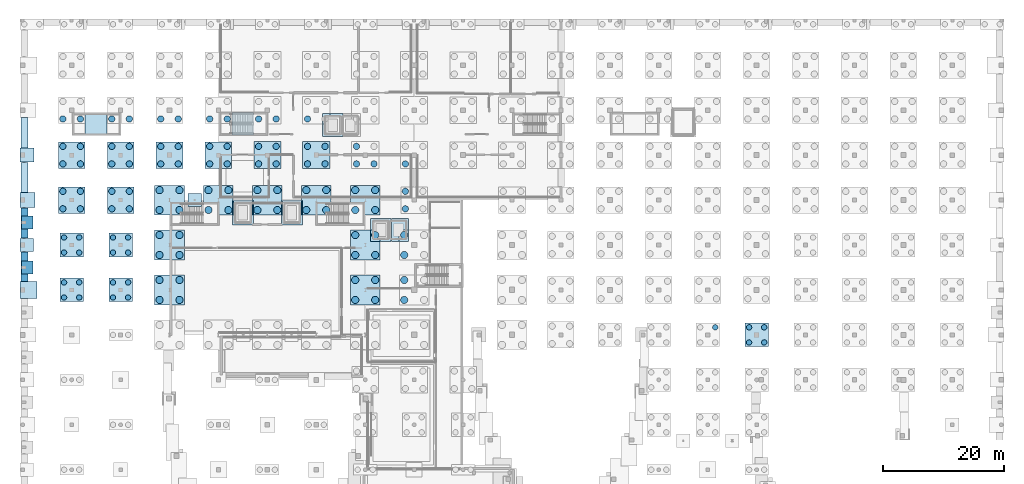
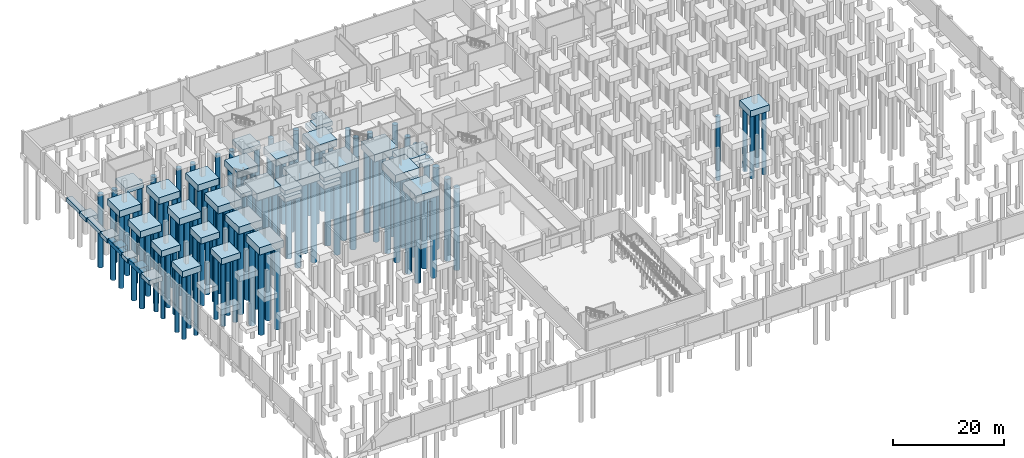
# One storey, part 5 of 37: 110 piles, 45 footings.
"""IFC4 building model written with IfcOpenShell, lengths in metres."""

from ifc_helpers import new_model, si_unit, direction, frame, origin, origin_2d, place, context, subcontext, project, spatial, polyline, rectangle, circle, outline, extrude, material, material_profile, profile_set, type_object, element, save


model = new_model("IFC4")

# Units and contexts
model_context = context("Model", 3, precision=1e-05, world=origin(), true_north=direction((0.0, 1.0)))
body_context = subcontext(model_context, "Body", "Model", "MODEL_VIEW")
ifc_project = project(units=[si_unit("LENGTHUNIT", "METRE"), si_unit("AREAUNIT", "SQUARE_METRE"), si_unit("VOLUMEUNIT", "CUBIC_METRE"), si_unit("PLANEANGLEUNIT", "RADIAN"), si_unit("MASSUNIT", "GRAM", prefix="KILO")], contexts=[model_context])

# Site, building, storey
site_placement = place(None, origin())
site = spatial("IfcSite", under=ifc_project, at=site_placement, CompositionType="ELEMENT")
building_placement = place(site_placement, origin())
building = spatial("IfcBuilding", under=site, at=building_placement, Name="Kaelora Sail Theatre", CompositionType="ELEMENT")
storey_placement = place(building_placement, frame((0.0, 0.0, -4.800048828125)))
storey = spatial("IfcBuildingStorey", under=building, at=storey_placement, Name="B1", CompositionType="ELEMENT", Elevation=-4.800048828125)

# Footings
ifc_material_1 = material(Name="Concrete C40/50", Category="concrete")
footing_type_1 = type_object("IfcFootingType", Name="STR-FTG-PC-4A", PredefinedType="PILE_CAP", material=ifc_material_1)
for number, where, z_axis, x_axis, name in (
    (1, (9.60009765625, 68.4599609375, -1.35009765625), (0.0, 0.0, 1.0), (1.0, 0.0, 0.0), "Foundation 2/J"),
    (2, (9.60009765625, 75.89990234375, -1.35009765625), (0.0, 0.0, 1.0), (1.0, 0.0, 0.0), "Foundation 2/K"),
    (3, (17.699951171875, 68.4599609375, -1.35009765625), (0.0, 0.0, 1.0), (1.0, 0.0, 0.0), "Foundation 3/J"),
    (4, (17.699951171875, 75.89990234375, -1.35009765625), (0.0, 0.0, 1.0), (1.0, 0.0, 0.0), "Foundation 3/K"),
    (5, (123.0, 61.02001953125, -1.35009765625), (0.0, 0.0, 1.0), (1.0, 0.0, 0.0), "Foundation 16/I"),
):
    element("IfcFooting", number, at=place(storey_placement, frame(where, z_axis=z_axis, x_axis=x_axis)), inside=storey, type_object=footing_type_1, Name=name, PredefinedType="PILE_CAP", context=body_context, shape_type="SweptSolid", body=[
        extrude(rectangle(XDim=3.89990234375, YDim=3.89990234375, at=origin_2d()), origin(), (0.0, 0.0, 1.0), 1.35009765625),
    ])
ifc_material_2 = material(Name="Concrete C40/50", Category="concrete")
footing_type_2 = type_object("IfcFootingType", Name="STR-FTG-PC-4B", PredefinedType="PILE_CAP", material=ifc_material_2)
for number, where, z_axis, x_axis, name in (
    (6, (9.60009765625, 83.340087890625, -1.44970703125), (0.0, 0.0, 1.0), (1.0, 0.0, 0.0), "Foundation 2/L"),
    (7, (9.60009765625, 90.780029296875, -1.44970703125), (0.0, 0.0, 1.0), (1.0, 0.0, 0.0), "Foundation 2/M"),
    (8, (17.699951171875, 83.340087890625, -1.44970703125), (0.0, 0.0, 1.0), (1.0, 0.0, 0.0), "Foundation 3/L"),
    (9, (17.699951171875, 90.780029296875, -1.44970703125), (0.0, 0.0, 1.0), (1.0, 0.0, 0.0), "Foundation 3/M"),
    (10, (25.800048828125, 90.780029296875, -1.44970703125), (0.0, 0.0, 1.0), (1.0, 0.0, 0.0), "Foundation 4/M"),
    (11, (33.89990234375, 90.780029296875, -1.44970703125), (0.0, 0.0, 1.0), (1.0, 0.0, 0.0), "Foundation 5/M"),
):
    element("IfcFooting", number, at=place(storey_placement, frame(where, z_axis=z_axis, x_axis=x_axis)), inside=storey, type_object=footing_type_2, Name=name, PredefinedType="PILE_CAP", context=body_context, shape_type="SweptSolid", body=[
        extrude(rectangle(XDim=4.39990234375, YDim=4.39990234375, at=origin_2d()), origin(), (0.0, 0.0, 1.0), 1.449951171875),
    ])
ifc_material_3 = material(Name="Concrete C40/50", Category="concrete")
footing_type_3 = type_object("IfcFootingType", Name="STR-FTG-PC-4C", PredefinedType="PILE_CAP", material=ifc_material_3)
for number, where, z_axis, x_axis, name in (
    (12, (42.0, 90.780029296875, -1.5498046875), (0.0, 0.0, 1.0), (1.0, 0.0, 0.0), "Foundation 6/M"),
    (13, (50.10009765625, 90.780029296875, -1.5498046875), (0.0, 0.0, 1.0), (1.0, 0.0, 0.0), "Foundation 7/M"),
):
    element("IfcFooting", number, at=place(storey_placement, frame(where, z_axis=z_axis, x_axis=x_axis)), inside=storey, type_object=footing_type_3, Name=name, PredefinedType="PILE_CAP", context=body_context, shape_type="SweptSolid", body=[
        extrude(rectangle(XDim=4.5, YDim=4.5, at=origin_2d()), origin(), (0.0, 0.0, 1.0), 1.550048828125),
    ])
ifc_material_4 = material(Name="Concrete C40/50", Category="concrete")
footing_type_4 = type_object("IfcFootingType", Name="STR-FTG-PC-4D", PredefinedType="PILE_CAP", material=ifc_material_4)
for number, where, z_axis, x_axis, name in (
    (14, (25.800048828125, 68.4599609375, -1.60009765625), (0.0, 0.0, 1.0), (1.0, 0.0, 0.0), "Foundation 4/J"),
    (15, (25.800048828125, 75.89990234375, -1.60009765625), (0.0, 0.0, 1.0), (1.0, 0.0, 0.0), "Foundation 4/K"),
    (16, (25.800048828125, 83.340087890625, -1.60009765625), (0.0, 0.0, 1.0), (1.0, 0.0, 0.0), "Foundation 4/L"),
    (17, (33.89990234375, 83.340087890625, -1.60009765625), (0.0, 0.0, 1.0), (1.0, 0.0, 0.0), "Foundation 5/L"),
    (18, (42.0, 83.340087890625, -1.60009765625), (0.0, 0.0, 1.0), (1.0, 0.0, 0.0), "Foundation 6/L"),
    (19, (50.10009765625, 83.340087890625, -1.60009765625), (0.0, 0.0, 1.0), (1.0, 0.0, 0.0), "Foundation 7/L"),
    (20, (58.199951171875, 68.4599609375, -1.60009765625), (0.0, 0.0, 1.0), (1.0, 0.0, 0.0), "Foundation 8/J"),
    (21, (58.199951171875, 75.89990234375, -1.60009765625), (0.0, 0.0, 1.0), (1.0, 0.0, 0.0), "Foundation 8/K"),
    (22, (58.199951171875, 83.340087890625, -1.60009765625), (0.0, 0.0, 1.0), (1.0, 0.0, 0.0), "Foundation 8/L"),
):
    element("IfcFooting", number, at=place(storey_placement, frame(where, z_axis=z_axis, x_axis=x_axis)), inside=storey, type_object=footing_type_4, Name=name, PredefinedType="PILE_CAP", context=body_context, shape_type="SweptSolid", body=[
        extrude(rectangle(XDim=4.89990234375, YDim=4.89990234375, at=origin_2d()), origin(), (0.0, 0.0, 1.0), 1.60009765625),
    ])
ifc_material_5 = material(Name="Concrete C40/50", Category="concrete")
footing_type_5 = type_object("IfcFootingType", Name="STR-FTG-PF-1A", PredefinedType="PAD_FOOTING", material=ifc_material_5)
for number, where, z_axis, x_axis, name in (
    (23, (2.14990234375, 75.89990234375, -0.85009765625), (0.0, 0.0, 1.0), (1.0, 0.0, 0.0), "Foundation 1/K"),
    (24, (30.0, 83.340087890625, -0.85009765625), (0.0, 0.0, 1.0), (1.0, 0.0, 0.0), "Substructure pier footing 07"),
):
    element("IfcFooting", number, at=place(storey_placement, frame(where, z_axis=z_axis, x_axis=x_axis)), inside=storey, type_object=footing_type_5, Name=name, PredefinedType="PAD_FOOTING", context=body_context, shape_type="SweptSolid", body=[
        extrude(rectangle(XDim=2.199951171875, YDim=2.199951171875, at=origin_2d()), origin(), (0.0, 0.0, 1.0), 0.85009765625),
    ])
ifc_material_6 = material(Name="Concrete C40/50", Category="concrete")
footing_type_6 = type_object("IfcFootingType", Name="STR-FTG-PF-1B", PredefinedType="PAD_FOOTING", material=ifc_material_6)
footing_1_placement = place(storey_placement, frame((2.300048828125, 83.340087890625, -0.94970703125), z_axis=(0.0, 0.0, 1.0), x_axis=(1.0, 0.0, 0.0)))
element("IfcFooting", 25, at=footing_1_placement, inside=storey, type_object=footing_type_6, Name="Foundation 1/L", PredefinedType="PAD_FOOTING", context=body_context, shape_type="SweptSolid", body=[
    extrude(rectangle(XDim=2.5, YDim=2.5, at=origin_2d()), origin(), (0.0, 0.0, 1.0), 0.949951171875),
])
ifc_material_7 = material(Name="Concrete C40/50", Category="concrete")
footing_type_7 = type_object("IfcFootingType", Name="STR-FTG-PF-1C", PredefinedType="PAD_FOOTING", material=ifc_material_7)
for number, where, z_axis, x_axis, name in (
    (26, (2.25, 72.179931640625, -1.0), (0.0, 0.0, 1.0), (1.0, 0.0, 0.0), "W colonnade pilaster footing 09"),
    (27, (2.25, 79.6201171875, -1.0), (0.0, 0.0, 1.0), (1.0, 0.0, 0.0), "W colonnade pilaster footing 10"),
):
    element("IfcFooting", number, at=place(storey_placement, frame(where, z_axis=z_axis, x_axis=x_axis)), inside=storey, type_object=footing_type_7, Name=name, PredefinedType="PAD_FOOTING", context=body_context, shape_type="SweptSolid", body=[
        extrude(rectangle(XDim=1.89990234375, YDim=2.10009765625, at=origin_2d()), origin(), (0.0, 0.0, 1.0), 1.0),
    ])
ifc_material_8 = material(Name="Concrete C40/50", Category="concrete")
footing_type_8 = type_object("IfcFootingType", Name="STR-FTG-PF-1D", PredefinedType="PAD_FOOTING", material=ifc_material_8)
footing_2_placement = place(storey_placement, frame((2.22509765625, 90.780029296875, -0.89990234375), z_axis=(0.0, 0.0, 1.0), x_axis=(1.0, 0.0, 0.0)))
element("IfcFooting", 28, at=footing_2_placement, inside=storey, type_object=footing_type_8, Name="Foundation 1/M", PredefinedType="PAD_FOOTING", context=body_context, shape_type="SweptSolid", body=[
    extrude(rectangle(XDim=2.35009765625, YDim=2.35009765625, at=origin_2d()), origin(), (0.0, 0.0, 1.0), 0.89990234375),
])
ifc_material_9 = material(Name="Concrete C40/50", Category="concrete")
footing_type_9 = type_object("IfcFootingType", Name="STR-FTG-PF-1F", PredefinedType="PAD_FOOTING", material=ifc_material_9)
footing_3_placement = place(storey_placement, frame((2.449951171875, 68.4599609375, -1.0498046875), z_axis=(0.0, 0.0, 1.0), x_axis=(1.0, 0.0, 0.0)))
element("IfcFooting", 29, at=footing_3_placement, inside=storey, type_object=footing_type_9, Name="Foundation 1/J", PredefinedType="PAD_FOOTING", context=body_context, shape_type="SweptSolid", body=[
    extrude(rectangle(XDim=2.800048828125, YDim=2.800048828125, at=origin_2d()), origin(), (0.0, 0.0, 1.0), 1.050048828125),
])
footing_4_placement = place(storey_placement, frame((0.0, 0.0, -0.949951171875)))
element("IfcFooting", 30, at=footing_4_placement, inside=storey, type_object=footing_type_9, Name="Lift shaft base foundation FFL-01", PredefinedType="PAD_FOOTING", context=body_context, shape_type="SweptSolid", body=[
    extrude(outline(polyline([(39.52001953125, 80.860107421875), (39.699951171875, 80.860107421875), (39.699951171875, 79.199951171875), (36.199951171875, 79.199951171875), (36.199951171875, 80.860107421875), (36.3798828125, 80.860107421875), (36.3798828125, 83.300048828125), (39.52001953125, 83.300048828125), (39.52001953125, 80.860107421875)])), origin(), (0.0, 0.0, 1.0), 0.949951171875),
])
footing_5_placement = place(storey_placement, frame((0.0, 0.0, -0.949951171875)))
element("IfcFooting", 31, at=footing_5_placement, inside=storey, type_object=footing_type_9, Name="Lift shaft base foundation FFL-02", PredefinedType="PAD_FOOTING", context=body_context, shape_type="SweptSolid", body=[
    extrude(outline(polyline([(44.47998046875, 80.860107421875), (44.47998046875, 83.300048828125), (47.6201171875, 83.300048828125), (47.6201171875, 80.860107421875), (47.800048828125, 80.860107421875), (47.800048828125, 79.199951171875), (44.300048828125, 79.199951171875), (44.300048828125, 80.860107421875), (44.47998046875, 80.860107421875)])), origin(), (0.0, 0.0, 1.0), 0.949951171875),
])
footing_6_placement = place(storey_placement, frame((0.0, 0.0, -0.949951171875)))
element("IfcFooting", 32, at=footing_6_placement, inside=storey, type_object=footing_type_9, Name="Lift shaft base foundation PL-01", PredefinedType="PAD_FOOTING", context=body_context, shape_type="SweptSolid", body=[
    extrude(outline(polyline([(60.679931640625, 78.3798828125), (59.10009765625, 78.3798828125), (59.10009765625, 80.300048828125), (62.5, 80.300048828125), (62.5, 76.5), (60.679931640625, 76.5), (60.679931640625, 78.3798828125)])), origin(), (0.0, 0.0, 1.0), 0.949951171875),
])
footing_7_placement = place(storey_placement, frame((0.0, 0.0, -0.949951171875)))
element("IfcFooting", 33, at=footing_7_placement, inside=storey, type_object=footing_type_9, Name="Lift shaft base foundation PL-02", PredefinedType="PAD_FOOTING", context=body_context, shape_type="SweptSolid", body=[
    extrude(outline(polyline([(65.39990234375, 80.300048828125), (65.39990234375, 78.3798828125), (63.820068359375, 78.3798828125), (63.820068359375, 76.5), (62.530029296875, 76.5), (62.530029296875, 80.300048828125), (65.39990234375, 80.300048828125)])), origin(), (0.0, 0.0, 1.0), 0.949951171875),
])
footing_8_placement = place(storey_placement, frame((0.0, 0.0, -0.949951171875)))
element("IfcFooting", 34, at=footing_8_placement, inside=storey, type_object=footing_type_9, Name="Lift shaft base foundation PL-03", PredefinedType="PAD_FOOTING", context=body_context, shape_type="SweptSolid", body=[
    extrude(outline(polyline([(52.3798828125, 97.64990234375), (54.5, 97.64990234375), (54.5, 93.85009765625), (51.10009765625, 93.85009765625), (51.10009765625, 95.93994140625), (52.3798828125, 95.93994140625), (52.3798828125, 97.64990234375)])), origin(), (0.0, 0.0, 1.0), 0.949951171875),
])
ifc_material_10 = material(Name="Concrete C40/50", Category="concrete")
footing_type_10 = type_object("IfcFootingType", Name="STR-FTG-PF-CORE", PredefinedType="PAD_FOOTING", material=ifc_material_10)
footing_9_placement = place(storey_placement, frame((0.0, 0.0, -1.099853515625)))
element("IfcFooting", 35, at=footing_9_placement, inside=storey, type_object=footing_type_10, Name="Stair core foundation pad ST-K2", PredefinedType="PAD_FOOTING", context=body_context, shape_type="SweptSolid", body=[
    extrude(outline(polyline([(36.1298828125, 94.10009765625), (39.719970703125, 94.10009765625), (39.719970703125, 97.85009765625), (36.1298828125, 97.85009765625), (36.1298828125, 94.10009765625)])), origin(), (0.0, 0.0, 1.0), 1.099853515625),
])
ifc_material_11 = material(Name="Concrete C40/50", Category="concrete")
footing_type_11 = type_object("IfcFootingType", Name="STR-FTG-PF-CORE2", PredefinedType="PAD_FOOTING", material=ifc_material_11)
footing_10_placement = place(storey_placement, frame((0.0, 0.0, -1.099853515625)))
element("IfcFooting", 36, at=footing_10_placement, inside=storey, type_object=footing_type_11, Name="Stair core foundation pad ST-W1", PredefinedType="PAD_FOOTING", context=body_context, shape_type="SweptSolid", body=[
    extrude(outline(polyline([(11.830078125, 94.10009765625), (15.469970703125, 94.10009765625), (15.469970703125, 97.75), (11.830078125, 97.75), (11.830078125, 94.10009765625)])), origin(), (0.0, 0.0, 1.0), 1.099853515625),
])
ifc_material_12 = material(Name="Concrete C40/50", Category="concrete")
footing_type_12 = type_object("IfcFootingType", Name="STR-FTG-PF-PIT1", PredefinedType="PAD_FOOTING", material=ifc_material_12)
footing_11_placement = place(storey_placement, frame((0.0, 0.0, -2.550048828125)))
element("IfcFooting", 37, at=footing_11_placement, inside=storey, type_object=footing_type_12, Name="Lift pit foundation pad FFL-01", PredefinedType="PAD_FOOTING", context=body_context, shape_type="SweptSolid", body=[
    extrude(outline(polyline([(39.699951171875, 79.199951171875), (39.699951171875, 83.300048828125), (36.199951171875, 83.300048828125), (36.199951171875, 79.199951171875), (39.699951171875, 79.199951171875)])), origin(), (0.0, 0.0, 1.0), 0.9501953125),
])
footing_12_placement = place(storey_placement, frame((0.0, 0.0, -2.550048828125)))
element("IfcFooting", 38, at=footing_12_placement, inside=storey, type_object=footing_type_12, Name="Lift pit foundation pad FFL-02", PredefinedType="PAD_FOOTING", context=body_context, shape_type="SweptSolid", body=[
    extrude(outline(polyline([(44.300048828125, 79.199951171875), (44.300048828125, 83.300048828125), (47.800048828125, 83.300048828125), (47.800048828125, 79.199951171875), (44.300048828125, 79.199951171875)])), origin(), (0.0, 0.0, 1.0), 0.9501953125),
])
ifc_material_13 = material(Name="Concrete C40/50", Category="concrete")
footing_type_13 = type_object("IfcFootingType", Name="STR-FTG-PF-PIT2", PredefinedType="PAD_FOOTING", material=ifc_material_13)
footing_13_placement = place(storey_placement, frame((0.0, 0.0, -2.550048828125)))
element("IfcFooting", 39, at=footing_13_placement, inside=storey, type_object=footing_type_13, Name="Lift pit foundation pad PL-01", PredefinedType="PAD_FOOTING", context=body_context, shape_type="SweptSolid", body=[
    extrude(outline(polyline([(59.10009765625, 80.300048828125), (62.5, 80.300048828125), (62.5, 76.5), (59.10009765625, 76.5), (59.10009765625, 80.300048828125)])), origin(), (0.0, 0.0, 1.0), 0.9501953125),
])
footing_14_placement = place(storey_placement, frame((0.0, 0.0, -2.550048828125)))
element("IfcFooting", 40, at=footing_14_placement, inside=storey, type_object=footing_type_13, Name="Lift pit foundation pad PL-02", PredefinedType="PAD_FOOTING", context=body_context, shape_type="SweptSolid", body=[
    extrude(outline(polyline([(65.39990234375, 80.300048828125), (65.39990234375, 76.5), (62.530029296875, 76.5), (62.530029296875, 80.300048828125), (65.39990234375, 80.300048828125)])), origin(), (0.0, 0.0, 1.0), 0.9501953125),
])
footing_15_placement = place(storey_placement, frame((0.0, 0.0, -2.550048828125)))
element("IfcFooting", 41, at=footing_15_placement, inside=storey, type_object=footing_type_13, Name="Lift pit foundation pad PL-03", PredefinedType="PAD_FOOTING", context=body_context, shape_type="SweptSolid", body=[
    extrude(outline(polyline([(54.5, 93.85009765625), (51.10009765625, 93.85009765625), (51.10009765625, 97.64990234375), (54.5, 97.64990234375), (54.5, 93.85009765625)])), origin(), (0.0, 0.0, 1.0), 0.9501953125),
])
ifc_material_14 = material(Name="Concrete C40/50", Category="concrete")
footing_type_14 = type_object("IfcFootingType", Name="STR-GB-SF-DRM", PredefinedType="STRIP_FOOTING", material=ifc_material_14)
footing_16_placement = place(storey_placement, frame((0.0, 0.0, -0.89990234375)))
element("IfcFooting", 42, at=footing_16_placement, inside=storey, type_object=footing_type_14, Name="Perimeter plinth strip footing SF-PL-W", PredefinedType="STRIP_FOOTING", context=body_context, shape_type="SweptSolid", body=[
    extrude(outline(polyline([(1.25, 89.574951171875), (2.35009765625, 89.574951171875), (2.35009765625, 84.6201171875), (1.25, 84.6201171875), (1.25, 89.574951171875)])), origin(), (0.0, 0.0, 1.0), 0.89990234375),
])
footing_17_placement = place(storey_placement, frame((0.0, 0.0, -0.89990234375)))
element("IfcFooting", 43, at=footing_17_placement, inside=storey, type_object=footing_type_14, Name="Perimeter plinth strip footing SF-PL-W", PredefinedType="STRIP_FOOTING", context=body_context, shape_type="SweptSolid", body=[
    extrude(outline(polyline([(2.35009765625, 91.985107421875), (1.25, 91.985107421875), (1.25, 96.989990234375), (2.35009765625, 96.989990234375), (2.35009765625, 91.985107421875)])), origin(), (0.0, 0.0, 1.0), 0.89990234375),
])
footing_18_placement = place(storey_placement, frame((0.0, 0.0, -0.89990234375)))
element("IfcFooting", 44, at=footing_18_placement, inside=storey, type_object=footing_type_14, Name="Perimeter plinth strip footing SF-PL-W", PredefinedType="STRIP_FOOTING", context=body_context, shape_type="SweptSolid", body=[
    extrude(outline(polyline([(1.25, 82.06005859375), (2.35009765625, 82.06005859375), (2.35009765625, 80.699951171875), (1.27001953125, 80.699951171875), (1.27001953125, 78.5400390625), (2.35009765625, 78.5400390625), (2.35009765625, 77.030029296875), (1.25, 77.030029296875), (1.25, 82.06005859375)])), origin(), (0.0, 0.0, 1.0), 0.89990234375),
])
footing_19_placement = place(storey_placement, frame((0.0, 0.0, -0.89990234375)))
element("IfcFooting", 45, at=footing_19_placement, inside=storey, type_object=footing_type_14, Name="Perimeter plinth strip footing SF-PL-W", PredefinedType="STRIP_FOOTING", context=body_context, shape_type="SweptSolid", body=[
    extrude(outline(polyline([(2.35009765625, 74.77001953125), (2.35009765625, 73.260009765625), (1.27001953125, 73.260009765625), (1.27001953125, 71.10009765625), (2.35009765625, 71.10009765625), (2.35009765625, 69.889892578125), (1.25, 69.889892578125), (1.25, 74.77001953125), (2.35009765625, 74.77001953125)])), origin(), (0.0, 0.0, 1.0), 0.89990234375),
])

# Piles
ifc_material_15 = material(Name="Concrete C40/50", Category="concrete")
ifc_material_profile_1 = material_profile(ifc_material_15, circle(Radius=0.52490234375, at=origin_2d()), Name="PILE D1050")
ifc_profile_set_1 = profile_set([ifc_material_profile_1], Name="Concrete C40/50")
pile_type_1 = type_object("IfcPileType", Name="STR-PILE-PL-1050", PredefinedType="BORED", material=ifc_profile_set_1)
for number, where, z_axis, x_axis, name in (
    (46, (8.14990234375, 81.889892578125, -1.349853515625), (0.0, 0.0, -1.0), (1.0, 0.0, 0.0), "Bored pile 2/L P1"),
    (47, (11.050048828125, 81.889892578125, -1.349853515625), (0.0, 0.0, -1.0), (1.0, 0.0, 0.0), "Bored pile 2/L P2"),
    (48, (8.14990234375, 84.7900390625, -1.349853515625), (0.0, 0.0, -1.0), (1.0, 0.0, 0.0), "Bored pile 2/L P3"),
    (49, (11.050048828125, 84.7900390625, -1.349853515625), (0.0, 0.0, -1.0), (1.0, 0.0, 0.0), "Bored pile 2/L P4"),
    (50, (8.14990234375, 89.330078125, -1.349853515625), (0.0, 0.0, -1.0), (1.0, 0.0, 0.0), "Bored pile 2/M P1"),
    (51, (11.050048828125, 89.330078125, -1.349853515625), (0.0, 0.0, -1.0), (1.0, 0.0, 0.0), "Bored pile 2/M P2"),
    (52, (8.14990234375, 92.22998046875, -1.349853515625), (0.0, 0.0, -1.0), (1.0, 0.0, 0.0), "Bored pile 2/M P3"),
    (53, (11.050048828125, 92.22998046875, -1.349853515625), (0.0, 0.0, -1.0), (1.0, 0.0, 0.0), "Bored pile 2/M P4"),
    (54, (8.14990234375, 96.77001953125, -1.349853515625), (0.0, 0.0, -1.0), (1.0, 0.0, 0.0), "Bored pile 2/N P1"),
    (55, (11.050048828125, 96.77001953125, -1.349853515625), (0.0, 0.0, -1.0), (1.0, 0.0, 0.0), "Bored pile 2/N P2"),
    (56, (16.25, 81.889892578125, -1.349853515625), (0.0, 0.0, -1.0), (1.0, 0.0, 0.0), "Bored pile 3/L P1"),
    (57, (19.14990234375, 81.889892578125, -1.349853515625), (0.0, 0.0, -1.0), (1.0, 0.0, 0.0), "Bored pile 3/L P2"),
    (58, (16.25, 84.7900390625, -1.349853515625), (0.0, 0.0, -1.0), (1.0, 0.0, 0.0), "Bored pile 3/L P3"),
    (59, (19.14990234375, 84.7900390625, -1.349853515625), (0.0, 0.0, -1.0), (1.0, 0.0, 0.0), "Bored pile 3/L P4"),
    (60, (16.25, 89.330078125, -1.349853515625), (0.0, 0.0, -1.0), (1.0, 0.0, 0.0), "Bored pile 3/M P1"),
    (61, (19.14990234375, 89.330078125, -1.349853515625), (0.0, 0.0, -1.0), (1.0, 0.0, 0.0), "Bored pile 3/M P2"),
    (62, (16.25, 92.22998046875, -1.349853515625), (0.0, 0.0, -1.0), (1.0, 0.0, 0.0), "Bored pile 3/M P3"),
    (63, (19.14990234375, 92.22998046875, -1.349853515625), (0.0, 0.0, -1.0), (1.0, 0.0, 0.0), "Bored pile 3/M P4"),
    (64, (16.25, 96.77001953125, -1.349853515625), (0.0, 0.0, -1.0), (1.0, 0.0, 0.0), "Bored pile 3/N P1"),
    (65, (19.14990234375, 96.77001953125, -1.349853515625), (0.0, 0.0, -1.0), (1.0, 0.0, 0.0), "Bored pile 3/N P2"),
    (66, (24.35009765625, 89.330078125, -1.349853515625), (0.0, 0.0, -1.0), (1.0, 0.0, 0.0), "Bored pile 4/M P1"),
    (67, (27.25, 89.330078125, -1.349853515625), (0.0, 0.0, -1.0), (1.0, 0.0, 0.0), "Bored pile 4/M P2"),
    (68, (24.35009765625, 92.22998046875, -1.349853515625), (0.0, 0.0, -1.0), (1.0, 0.0, 0.0), "Bored pile 4/M P3"),
    (69, (27.25, 92.22998046875, -1.349853515625), (0.0, 0.0, -1.0), (1.0, 0.0, 0.0), "Bored pile 4/M P4"),
    (70, (24.35009765625, 96.77001953125, -1.349853515625), (0.0, 0.0, -1.0), (1.0, 0.0, 0.0), "Bored pile 4/N P1"),
    (71, (27.25, 96.77001953125, -1.349853515625), (0.0, 0.0, -1.0), (1.0, 0.0, 0.0), "Bored pile 4/N P2"),
    (72, (32.449951171875, 89.330078125, -1.349853515625), (0.0, 0.0, -1.0), (1.0, 0.0, 0.0), "Bored pile 5/M P1"),
    (73, (35.35009765625, 89.330078125, -1.349853515625), (0.0, 0.0, -1.0), (1.0, 0.0, 0.0), "Bored pile 5/M P2"),
    (74, (32.449951171875, 92.22998046875, -1.349853515625), (0.0, 0.0, -1.0), (1.0, 0.0, 0.0), "Bored pile 5/M P3"),
    (75, (35.35009765625, 92.22998046875, -1.349853515625), (0.0, 0.0, -1.0), (1.0, 0.0, 0.0), "Bored pile 5/M P4"),
    (76, (32.449951171875, 96.77001953125, -1.349853515625), (0.0, 0.0, -1.0), (1.0, 0.0, 0.0), "Bored pile 5/N P1"),
    (77, (35.35009765625, 96.77001953125, -1.349853515625), (0.0, 0.0, -1.0), (1.0, 0.0, 0.0), "Bored pile 5/N P2"),
    (78, (40.550048828125, 89.330078125, -1.449951171875), (0.0, 0.0, -1.0), (1.0, 0.0, 0.0), "Bored pile 6/M P1"),
    (79, (43.449951171875, 89.330078125, -1.449951171875), (0.0, 0.0, -1.0), (1.0, 0.0, 0.0), "Bored pile 6/M P2"),
    (80, (40.550048828125, 92.22998046875, -1.449951171875), (0.0, 0.0, -1.0), (1.0, 0.0, 0.0), "Bored pile 6/M P3"),
    (81, (43.449951171875, 92.22998046875, -1.449951171875), (0.0, 0.0, -1.0), (1.0, 0.0, 0.0), "Bored pile 6/M P4"),
    (82, (40.550048828125, 96.77001953125, -1.449951171875), (0.0, 0.0, -1.0), (1.0, 0.0, 0.0), "Bored pile 6/N P1"),
    (83, (43.449951171875, 96.77001953125, -1.449951171875), (0.0, 0.0, -1.0), (1.0, 0.0, 0.0), "Bored pile 6/N P2"),
    (84, (48.64990234375, 89.330078125, -1.449951171875), (0.0, 0.0, -1.0), (1.0, 0.0, 0.0), "Bored pile 7/M P1"),
    (85, (51.550048828125, 89.330078125, -1.449951171875), (0.0, 0.0, -1.0), (1.0, 0.0, 0.0), "Bored pile 7/M P2"),
    (86, (48.64990234375, 92.22998046875, -1.449951171875), (0.0, 0.0, -1.0), (1.0, 0.0, 0.0), "Bored pile 7/M P3"),
    (87, (51.550048828125, 92.22998046875, -1.449951171875), (0.0, 0.0, -1.0), (1.0, 0.0, 0.0), "Bored pile 7/M P4"),
    (88, (48.64990234375, 96.77001953125, -1.449951171875), (0.0, 0.0, -1.0), (1.0, 0.0, 0.0), "Bored pile 7/N P1"),
    (89, (56.75, 89.330078125, -1.449951171875), (0.0, 0.0, -1.0), (1.0, 0.0, 0.0), "Bored pile 8/M P1"),
    (90, (59.64990234375, 89.330078125, -1.449951171875), (0.0, 0.0, -1.0), (1.0, 0.0, 0.0), "Bored pile 8/M P2"),
    (91, (56.75, 92.22998046875, -1.449951171875), (0.0, 0.0, -1.0), (1.0, 0.0, 0.0), "Bored pile 8/M P3"),
    (92, (64.85009765625, 81.889892578125, -1.349853515625), (0.0, 0.0, -1.0), (1.0, 0.0, 0.0), "Bored pile 9/L P1"),
    (93, (64.85009765625, 84.7900390625, -1.349853515625), (0.0, 0.0, -1.0), (1.0, 0.0, 0.0), "Bored pile 9/L P3"),
    (94, (64.85009765625, 89.330078125, -1.449951171875), (0.0, 0.0, -1.0), (1.0, 0.0, 0.0), "Bored pile 9/M P1"),
):
    element("IfcPile", number, at=place(storey_placement, frame(where, z_axis=z_axis, x_axis=x_axis)), inside=storey, type_object=pile_type_1, Name=name, PredefinedType="BORED", context=body_context, shape_type="SweptSolid", body=[
        extrude(circle(Radius=0.52490234375, at=origin_2d()), origin(), (0.0, 0.0, 1.0), 16.0),
    ])
ifc_material_16 = material(Name="Concrete C40/50", Category="concrete")
ifc_material_profile_2 = material_profile(ifc_material_16, circle(Radius=0.60009765625, at=origin_2d()), Name="PILE D1200")
ifc_profile_set_2 = profile_set([ifc_material_profile_2], Name="Concrete C40/50")
pile_type_2 = type_object("IfcPileType", Name="STR-PILE-PL-1200", PredefinedType="BORED", material=ifc_profile_set_2)
for number, where, z_axis, x_axis, name in (
    (95, (24.14990234375, 66.81005859375, -1.5), (0.0, 0.0, -1.0), (1.0, 0.0, 0.0), "Bored pile 4/J P1"),
    (96, (27.449951171875, 66.81005859375, -1.5), (0.0, 0.0, -1.0), (1.0, 0.0, 0.0), "Bored pile 4/J P2"),
    (97, (24.14990234375, 70.110107421875, -1.5), (0.0, 0.0, -1.0), (1.0, 0.0, 0.0), "Bored pile 4/J P3"),
    (98, (27.449951171875, 70.110107421875, -1.5), (0.0, 0.0, -1.0), (1.0, 0.0, 0.0), "Bored pile 4/J P4"),
    (99, (24.14990234375, 74.25, -1.5), (0.0, 0.0, -1.0), (1.0, 0.0, 0.0), "Bored pile 4/K P1"),
    (100, (27.449951171875, 74.25, -1.5), (0.0, 0.0, -1.0), (1.0, 0.0, 0.0), "Bored pile 4/K P2"),
    (101, (24.14990234375, 77.550048828125, -1.5), (0.0, 0.0, -1.0), (1.0, 0.0, 0.0), "Bored pile 4/K P3"),
    (102, (27.449951171875, 77.550048828125, -1.5), (0.0, 0.0, -1.0), (1.0, 0.0, 0.0), "Bored pile 4/K P4"),
    (103, (24.14990234375, 81.68994140625, -1.5), (0.0, 0.0, -1.0), (1.0, 0.0, 0.0), "Bored pile 4/L P1"),
    (104, (27.449951171875, 81.68994140625, -1.5), (0.0, 0.0, -1.0), (1.0, 0.0, 0.0), "Bored pile 4/L P2"),
    (105, (24.14990234375, 84.989990234375, -1.5), (0.0, 0.0, -1.0), (1.0, 0.0, 0.0), "Bored pile 4/L P3"),
    (106, (27.449951171875, 84.989990234375, -1.5), (0.0, 0.0, -1.0), (1.0, 0.0, 0.0), "Bored pile 4/L P4"),
    (107, (32.25, 81.68994140625, -1.5), (0.0, 0.0, -1.0), (1.0, 0.0, 0.0), "Bored pile 5/L P1"),
    (108, (35.550048828125, 81.68994140625, -1.5), (0.0, 0.0, -1.0), (1.0, 0.0, 0.0), "Bored pile 5/L P2"),
    (109, (32.25, 84.989990234375, -1.5), (0.0, 0.0, -1.0), (1.0, 0.0, 0.0), "Bored pile 5/L P3"),
    (110, (35.550048828125, 84.989990234375, -1.5), (0.0, 0.0, -1.0), (1.0, 0.0, 0.0), "Bored pile 5/L P4"),
    (111, (40.35009765625, 81.68994140625, -1.5), (0.0, 0.0, -1.0), (1.0, 0.0, 0.0), "Bored pile 6/L P1"),
    (112, (43.64990234375, 81.68994140625, -1.5), (0.0, 0.0, -1.0), (1.0, 0.0, 0.0), "Bored pile 6/L P2"),
    (113, (40.35009765625, 84.989990234375, -1.5), (0.0, 0.0, -1.0), (1.0, 0.0, 0.0), "Bored pile 6/L P3"),
    (114, (43.64990234375, 84.989990234375, -1.5), (0.0, 0.0, -1.0), (1.0, 0.0, 0.0), "Bored pile 6/L P4"),
    (115, (48.449951171875, 81.68994140625, -1.5), (0.0, 0.0, -1.0), (1.0, 0.0, 0.0), "Bored pile 7/L P1"),
    (116, (51.75, 81.68994140625, -1.5), (0.0, 0.0, -1.0), (1.0, 0.0, 0.0), "Bored pile 7/L P2"),
    (117, (48.449951171875, 84.989990234375, -1.5), (0.0, 0.0, -1.0), (1.0, 0.0, 0.0), "Bored pile 7/L P3"),
    (118, (51.75, 84.989990234375, -1.5), (0.0, 0.0, -1.0), (1.0, 0.0, 0.0), "Bored pile 7/L P4"),
    (119, (56.550048828125, 66.81005859375, -1.5), (0.0, 0.0, -1.0), (1.0, 0.0, 0.0), "Bored pile 8/J P1"),
    (120, (59.85009765625, 66.81005859375, -1.5), (0.0, 0.0, -1.0), (1.0, 0.0, 0.0), "Bored pile 8/J P2"),
    (121, (56.550048828125, 70.110107421875, -1.5), (0.0, 0.0, -1.0), (1.0, 0.0, 0.0), "Bored pile 8/J P3"),
    (122, (59.85009765625, 70.110107421875, -1.5), (0.0, 0.0, -1.0), (1.0, 0.0, 0.0), "Bored pile 8/J P4"),
    (123, (56.550048828125, 74.25, -1.5), (0.0, 0.0, -1.0), (1.0, 0.0, 0.0), "Bored pile 8/K P1"),
    (124, (59.85009765625, 74.25, -1.5), (0.0, 0.0, -1.0), (1.0, 0.0, 0.0), "Bored pile 8/K P2"),
    (125, (56.550048828125, 77.550048828125, -1.5), (0.0, 0.0, -1.0), (1.0, 0.0, 0.0), "Bored pile 8/K P3"),
    (126, (59.85009765625, 77.550048828125, -1.5), (0.0, 0.0, -1.0), (1.0, 0.0, 0.0), "Bored pile 8/K P4"),
    (127, (56.550048828125, 81.68994140625, -1.5), (0.0, 0.0, -1.0), (1.0, 0.0, 0.0), "Bored pile 8/L P1"),
    (128, (59.85009765625, 81.68994140625, -1.5), (0.0, 0.0, -1.0), (1.0, 0.0, 0.0), "Bored pile 8/L P2"),
    (129, (56.550048828125, 84.989990234375, -1.5), (0.0, 0.0, -1.0), (1.0, 0.0, 0.0), "Bored pile 8/L P3"),
    (130, (59.85009765625, 84.989990234375, -1.5), (0.0, 0.0, -1.0), (1.0, 0.0, 0.0), "Bored pile 8/L P4"),
    (131, (64.64990234375, 66.81005859375, -1.5), (0.0, 0.0, -1.0), (1.0, 0.0, 0.0), "Bored pile 9/J P1"),
    (132, (64.64990234375, 70.110107421875, -1.5), (0.0, 0.0, -1.0), (1.0, 0.0, 0.0), "Bored pile 9/J P3"),
    (133, (64.64990234375, 74.25, -1.5), (0.0, 0.0, -1.0), (1.0, 0.0, 0.0), "Bored pile 9/K P1"),
    (134, (64.64990234375, 77.550048828125, -1.5), (0.0, 0.0, -1.0), (1.0, 0.0, 0.0), "Bored pile 9/K P3"),
):
    element("IfcPile", number, at=place(storey_placement, frame(where, z_axis=z_axis, x_axis=x_axis)), inside=storey, type_object=pile_type_2, Name=name, PredefinedType="BORED", context=body_context, shape_type="SweptSolid", body=[
        extrude(circle(Radius=0.60009765625, at=origin_2d()), origin(), (0.0, 0.0, 1.0), 18.0),
    ])
ifc_material_17 = material(Name="Concrete C40/50", Category="concrete")
ifc_material_profile_3 = material_profile(ifc_material_17, circle(Radius=0.449951171875, at=origin_2d()), Name="PILE D900")
ifc_profile_set_3 = profile_set([ifc_material_profile_3], Name="Concrete C40/50")
pile_type_3 = type_object("IfcPileType", Name="STR-PILE-PL-900", PredefinedType="BORED", material=ifc_profile_set_3)
for number, where, z_axis, x_axis, name in (
    (135, (8.35009765625, 67.2099609375, -1.25), (0.0, 0.0, -1.0), (1.0, 0.0, 0.0), "Bored pile 2/J P1"),
    (136, (10.85009765625, 67.2099609375, -1.25), (0.0, 0.0, -1.0), (1.0, 0.0, 0.0), "Bored pile 2/J P2"),
    (137, (8.35009765625, 69.7099609375, -1.25), (0.0, 0.0, -1.0), (1.0, 0.0, 0.0), "Bored pile 2/J P3"),
    (138, (10.85009765625, 69.7099609375, -1.25), (0.0, 0.0, -1.0), (1.0, 0.0, 0.0), "Bored pile 2/J P4"),
    (139, (8.35009765625, 74.64990234375, -1.25), (0.0, 0.0, -1.0), (1.0, 0.0, 0.0), "Bored pile 2/K P1"),
    (140, (10.85009765625, 74.64990234375, -1.25), (0.0, 0.0, -1.0), (1.0, 0.0, 0.0), "Bored pile 2/K P2"),
    (141, (8.35009765625, 77.14990234375, -1.25), (0.0, 0.0, -1.0), (1.0, 0.0, 0.0), "Bored pile 2/K P3"),
    (142, (10.85009765625, 77.14990234375, -1.25), (0.0, 0.0, -1.0), (1.0, 0.0, 0.0), "Bored pile 2/K P4"),
    (143, (16.449951171875, 67.2099609375, -1.25), (0.0, 0.0, -1.0), (1.0, 0.0, 0.0), "Bored pile 3/J P1"),
    (144, (18.949951171875, 67.2099609375, -1.25), (0.0, 0.0, -1.0), (1.0, 0.0, 0.0), "Bored pile 3/J P2"),
    (145, (16.449951171875, 69.7099609375, -1.25), (0.0, 0.0, -1.0), (1.0, 0.0, 0.0), "Bored pile 3/J P3"),
    (146, (18.949951171875, 69.7099609375, -1.25), (0.0, 0.0, -1.0), (1.0, 0.0, 0.0), "Bored pile 3/J P4"),
    (147, (16.449951171875, 74.64990234375, -1.25), (0.0, 0.0, -1.0), (1.0, 0.0, 0.0), "Bored pile 3/K P1"),
    (148, (18.949951171875, 74.64990234375, -1.25), (0.0, 0.0, -1.0), (1.0, 0.0, 0.0), "Bored pile 3/K P2"),
    (149, (16.449951171875, 77.14990234375, -1.25), (0.0, 0.0, -1.0), (1.0, 0.0, 0.0), "Bored pile 3/K P3"),
    (150, (18.949951171875, 77.14990234375, -1.25), (0.0, 0.0, -1.0), (1.0, 0.0, 0.0), "Bored pile 3/K P4"),
    (151, (116.14990234375, 62.27001953125, -1.25), (0.0, 0.0, -1.0), (1.0, 0.0, 0.0), "Bored pile 15/I P4"),
    (152, (121.75, 59.77001953125, -1.25), (0.0, 0.0, -1.0), (1.0, 0.0, 0.0), "Bored pile 16/I P1"),
    (153, (124.25, 59.77001953125, -1.25), (0.0, 0.0, -1.0), (1.0, 0.0, 0.0), "Bored pile 16/I P2"),
    (154, (121.75, 62.27001953125, -1.25), (0.0, 0.0, -1.0), (1.0, 0.0, 0.0), "Bored pile 16/I P3"),
    (155, (124.25, 62.27001953125, -1.25), (0.0, 0.0, -1.0), (1.0, 0.0, 0.0), "Bored pile 16/I P4"),
):
    element("IfcPile", number, at=place(storey_placement, frame(where, z_axis=z_axis, x_axis=x_axis)), inside=storey, type_object=pile_type_3, Name=name, PredefinedType="BORED", context=body_context, shape_type="SweptSolid", body=[
        extrude(circle(Radius=0.449951171875, at=origin_2d()), origin(), (0.0, 0.0, 1.0), 14.0),
    ])

save(model, "model.ifc")
